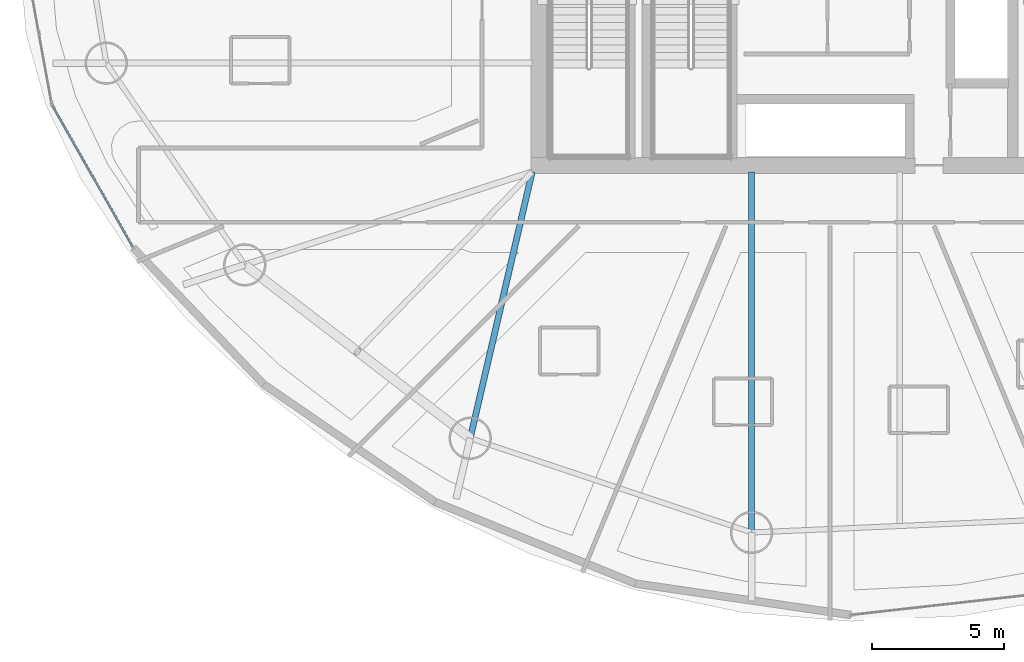
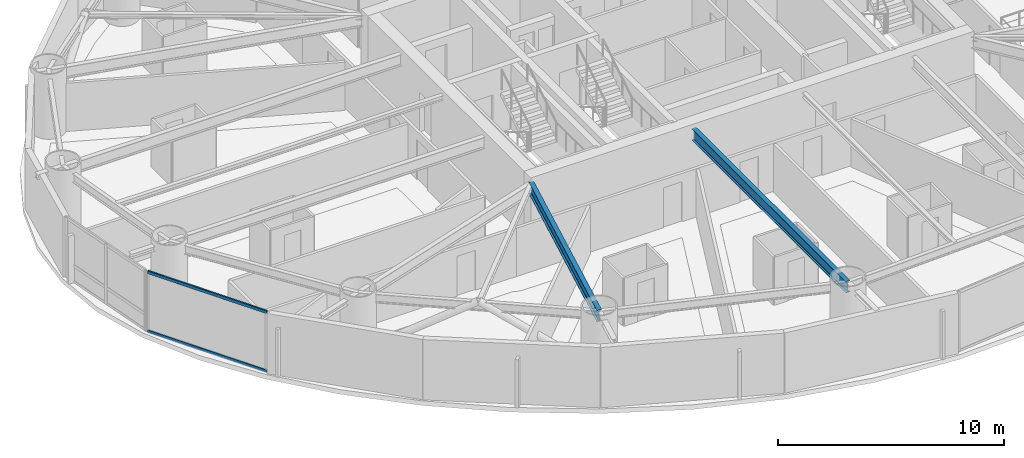
# One storey, part 4 of 27: 2 beams, 2 members, 1 element without a shape of its own.
"""IFC4 building model written with IfcOpenShell, lengths in metres."""

from ifc_helpers import new_model, si_unit, direction, frame, origin, origin_2d, place, context, subcontext, project, spatial, hollow_rectangle, i_section, extrude, material, layer, layer_set, material_profile, profile_set, type_object, element, aggregate, save


model = new_model("IFC4")

# Units and contexts
model_context = context("Model", 3, precision=1e-05, world=origin(), true_north=direction((0.0, 1.0)))
body_context = subcontext(model_context, "Body", "Model", "MODEL_VIEW")
ifc_project = project(units=[si_unit("LENGTHUNIT", "METRE"), si_unit("AREAUNIT", "SQUARE_METRE"), si_unit("VOLUMEUNIT", "CUBIC_METRE"), si_unit("PLANEANGLEUNIT", "RADIAN"), si_unit("MASSUNIT", "GRAM", prefix="KILO")], contexts=[model_context])

# Site, building, storey
site_placement = place(None, origin())
site = spatial("IfcSite", under=ifc_project, at=site_placement, CompositionType="ELEMENT")
building_placement = place(site_placement, origin())
building = spatial("IfcBuilding", under=site, at=building_placement, Name="Bramvorn Convention Spire", CompositionType="ELEMENT")
storey_placement = place(building_placement, frame((0.0, 0.0, 41.39990234375)))
storey = spatial("IfcBuildingStorey", under=building, at=storey_placement, Name="L07", CompositionType="ELEMENT", Elevation=41.39990234375)

# Beams
ifc_material_1 = material(Name="Steel CSA G40.21 Grade 350 (350W)", Category="steel")
ifc_material_profile_1 = material_profile(ifc_material_1, i_section(OverallWidth=0.22998046875, OverallDepth=0.616943359375, WebThickness=0.01318359375, FlangeThickness=0.022216796875, FilletRadius=0.02001953125, at=origin_2d()))
ifc_profile_set_1 = profile_set([ifc_material_profile_1], Name="Steel CSA G40.21 Grade 350 (350W) - W610X140")
beam_type = type_object("IfcBeamType", Name="BM-W610X140", PredefinedType="BEAM", material=ifc_profile_set_1)
beam_1_placement = place(storey_placement, frame((26.75, 18.550048828125, 2.941650390625), z_axis=(-0.226606328522, -0.973986433106, 0.0), x_axis=(0.973986433106, -0.226606328522, 0.0)))
element("IfcBeam", 1, at=beam_1_placement, inside=storey, type_object=beam_type, Name="L07 radial floor girder MC12", PredefinedType="BEAM", context=body_context, shape_type="SweptSolid", body=[
    extrude(i_section(OverallWidth=0.22998046875, OverallDepth=0.616943359375, WebThickness=0.01318359375, FlangeThickness=0.022216796875, FilletRadius=0.02001953125, at=origin_2d()), origin(), (0.0, 0.0, 1.0), 10.32763671875),
])
beam_2_placement = place(storey_placement, frame((35.0390625, 18.550048828125, 2.941650390625), z_axis=(0.0, -1.0, 0.0), x_axis=(1.0, 0.0, 0.0)))
element("IfcBeam", 2, at=beam_2_placement, inside=storey, type_object=beam_type, Name="L07 radial floor girder MC13", PredefinedType="BEAM", context=body_context, shape_type="SweptSolid", body=[
    extrude(i_section(OverallWidth=0.22998046875, OverallDepth=0.616943359375, WebThickness=0.01318359375, FlangeThickness=0.022216796875, FilletRadius=0.02001953125, at=origin_2d()), origin(), (0.0, 0.0, 1.0), 13.618896484375),
])

# Curtain wall, members
ifc_material_2 = material(Name="Anodised Bronze Unitised Curtain Wall", Category="aluminium")
ifc_layer = layer(ifc_material_2, 0.179931640625)
ifc_layer_set = layer_set([ifc_layer], Name="Anodised Bronze Unitised Curtain Wall - CW-HTL-FRIT")
curtain_wall_type = type_object("IfcCurtainWallType", Name="CW-HTL-FRIT", PredefinedType="USERDEFINED", material=ifc_layer_set)
curtain_wall_placement = place(storey_placement, origin())
curtain_wall = element("IfcCurtainWall", 3, at=curtain_wall_placement, inside=storey, type_object=curtain_wall_type, Name="L07 fritted glass curtain wall 14", ObjectType="UNITISED CURTAIN WALL", PredefinedType="USERDEFINED")
ifc_material_3 = material(Name="Anodised Bronze Aluminium 6063-T6", Category="aluminium")
ifc_material_profile_2 = material_profile(ifc_material_3, hollow_rectangle(XDim=0.080078125, YDim=0.159912109375, WallThickness=0.00390625, InnerFilletRadius=0.0009765625, OuterFilletRadius=0.00390625, at=origin_2d()))
ifc_profile_set_2 = profile_set([ifc_material_profile_2], Name="Anodised Bronze Aluminium 6063-T6 - CWT80X160")
member_type = type_object("IfcMemberType", Name="CW-TRN-150", PredefinedType="USERDEFINED", material=ifc_profile_set_2)
member_1_placement = place(storey_placement, frame((11.646728515625, 15.744873046875, 0.030029296875), z_axis=(-0.49350392952, 0.869743566546, 0.0), x_axis=(-0.869743566546, -0.49350392952, 0.0)))
member_1 = element("IfcMember", 4, at=member_1_placement, type_object=member_type, Name="CW2 transom 1.1", ObjectType="TRANSOM", PredefinedType="USERDEFINED", context=body_context, shape_type="SweptSolid", body=[
    extrude(hollow_rectangle(XDim=0.080078125, YDim=0.159912109375, WallThickness=0.00390625, InnerFilletRadius=0.0009765625, OuterFilletRadius=0.00390625, at=origin_2d()), origin(), (0.0, 0.0, 1.0), 6.091796875),
])
member_2_placement = place(storey_placement, frame((11.646728515625, 15.744873046875, 3.22021484375), z_axis=(-0.49350392952, 0.869743566546, 0.0), x_axis=(-0.869743566546, -0.49350392952, 0.0)))
member_2 = element("IfcMember", 5, at=member_2_placement, type_object=member_type, Name="CW2 transom 1.2", ObjectType="TRANSOM", PredefinedType="USERDEFINED", context=body_context, shape_type="SweptSolid", body=[
    extrude(hollow_rectangle(XDim=0.080078125, YDim=0.159912109375, WallThickness=0.00390625, InnerFilletRadius=0.0009765625, OuterFilletRadius=0.00390625, at=origin_2d()), origin(), (0.0, 0.0, 1.0), 6.091796875),
])
aggregate(curtain_wall, [member_1, member_2])

save(model, "model.ifc")
